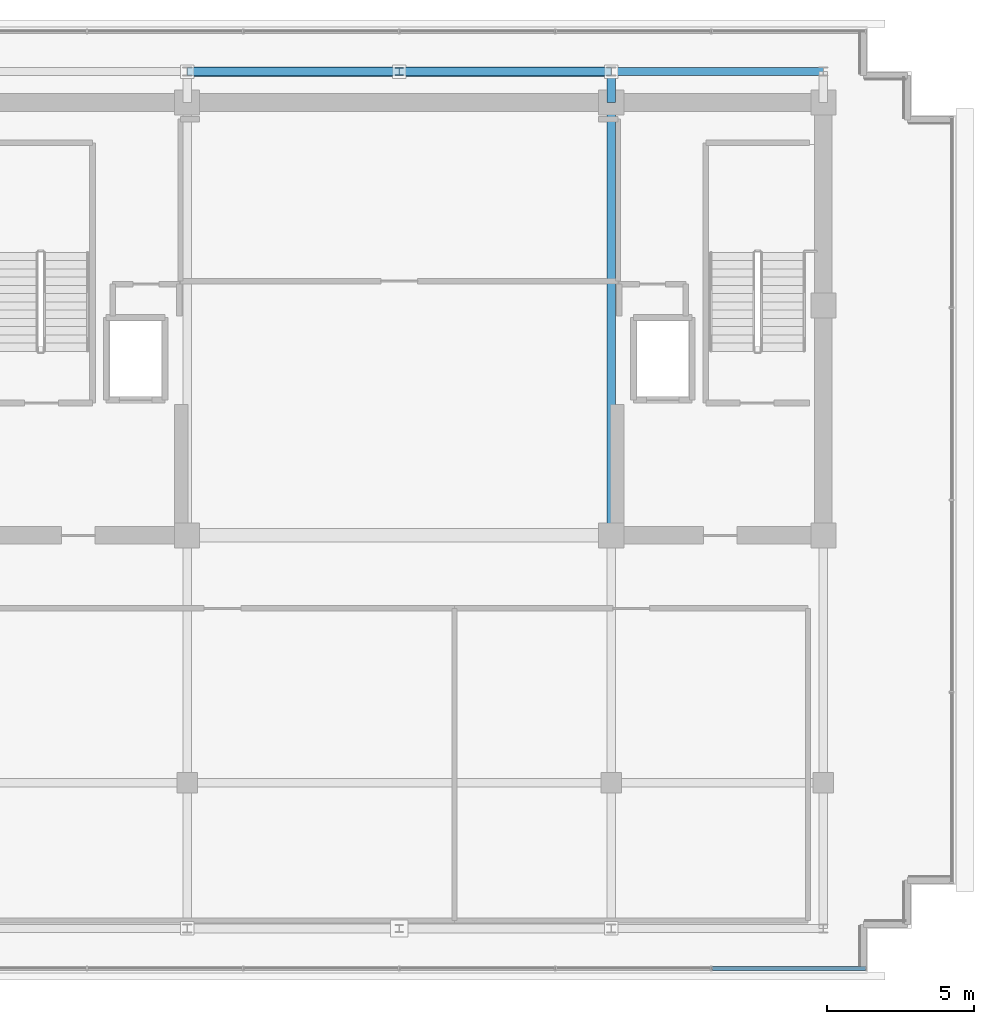
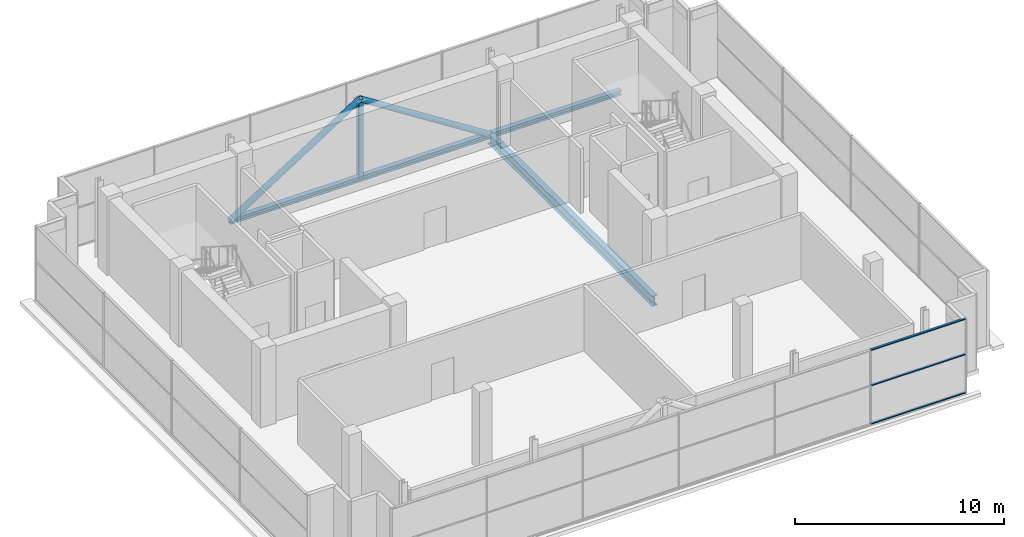
# One storey, part 14 of 26: 6 members, 4 beams, 1 element without a shape of its own.
"""IFC4 building model written with IfcOpenShell, lengths in metres."""

from ifc_helpers import new_model, si_unit, direction, frame, origin, origin_2d, place, context, subcontext, project, spatial, hollow_rectangle, hollow_circle, i_section, extrude, source, transform, mapped, material, layer, layer_set, material_profile, profile_set, type_object, element, aggregate, save


model = new_model("IFC4")

# Units and contexts
model_context = context("Model", 3, precision=1e-05, world=origin(), true_north=direction((0.0, 1.0)))
body_context = subcontext(model_context, "Body", "Model", "MODEL_VIEW")
ifc_project = project(units=[si_unit("LENGTHUNIT", "METRE"), si_unit("AREAUNIT", "SQUARE_METRE"), si_unit("VOLUMEUNIT", "CUBIC_METRE"), si_unit("PLANEANGLEUNIT", "RADIAN"), si_unit("MASSUNIT", "GRAM", prefix="KILO")], contexts=[model_context])

# Site, building, storey
site_placement = place(None, origin())
site = spatial("IfcSite", under=ifc_project, at=site_placement, CompositionType="ELEMENT")
building_placement = place(site_placement, origin())
building = spatial("IfcBuilding", under=site, at=building_placement, Name="Zarnakvel Exchange Tower", CompositionType="ELEMENT")
storey_placement = place(building_placement, frame((0.0, 0.0, 285.39990234375)))
storey = spatial("IfcBuildingStorey", under=building, at=storey_placement, Name="Crown L80", CompositionType="ELEMENT", Elevation=285.39990234375)

# Beams
ifc_material_1 = material(Name="Steel S355", Category="steel")
ifc_material_profile_1 = material_profile(ifc_material_1, i_section(OverallWidth=0.300048828125, OverallDepth=0.60009765625, WebThickness=0.015380859375, FlangeThickness=0.030029296875, FilletRadius=0.027099609375, at=origin_2d()))
ifc_profile_set_1 = profile_set([ifc_material_profile_1], Name="Steel S355")
beam_type_1 = type_object("IfcBeamType", Name="G-04", PredefinedType="BEAM", material=ifc_profile_set_1)
beam_1_placement = place(storey_placement, frame((7.199951171875, -1.199951171875, -0.52001953125), z_axis=(0.0, 1.0, 0.0), x_axis=(-1.0, 0.0, 0.0)))
element("IfcBeam", 1, at=beam_1_placement, inside=storey, type_object=beam_type_1, Name="Crown L80 Tower N-S Frame Beam", PredefinedType="BEAM", context=body_context, shape_type="SweptSolid", body=[
    extrude(i_section(OverallWidth=0.300048828125, OverallDepth=0.60009765625, WebThickness=0.015380859375, FlangeThickness=0.030029296875, FilletRadius=0.027099609375, at=origin_2d()), origin(), (0.0, 0.0, 1.0), 14.699951171875),
])
beam_2_placement = place(storey_placement, frame((7.199951171875, 13.5, -0.52001953125), z_axis=(0.0, 1.0, 0.0), x_axis=(-1.0, 0.0, 0.0)))
element("IfcBeam", 2, at=beam_2_placement, inside=storey, type_object=beam_type_1, Name="Crown L80 Tower N-S Frame Beam", PredefinedType="BEAM", context=body_context, shape_type="SweptSolid", body=[
    extrude(i_section(OverallWidth=0.300048828125, OverallDepth=0.60009765625, WebThickness=0.015380859375, FlangeThickness=0.030029296875, FilletRadius=0.027099609375, at=origin_2d()), origin(), (0.0, 0.0, 1.0), 1.050048828125),
])
ifc_material_profile_2 = material_profile(ifc_material_1, i_section(OverallWidth=0.280029296875, OverallDepth=0.280029296875, WebThickness=0.010498046875, FlangeThickness=0.01806640625, FilletRadius=0.02392578125, at=origin_2d()))
ifc_profile_set_2 = profile_set([ifc_material_profile_2], Name="Steel S355")
beam_type_2 = type_object("IfcBeamType", Name="SP-04", PredefinedType="SPANDREL", material=ifc_profile_set_2)
beam_3_placement = place(storey_placement, frame((-7.199951171875, 14.550048828125, -0.35986328125), z_axis=(1.0, 0.0, 0.0), x_axis=(0.0, 1.0, 0.0)))
element("IfcBeam", 3, at=beam_3_placement, inside=storey, type_object=beam_type_2, Name="Crown L80 Tower E-W Frame Beam", PredefinedType="SPANDREL", context=body_context, shape_type="SweptSolid", body=[
    extrude(i_section(OverallWidth=0.280029296875, OverallDepth=0.280029296875, WebThickness=0.010498046875, FlangeThickness=0.01806640625, FilletRadius=0.02392578125, at=origin_2d()), origin(), (0.0, 0.0, 1.0), 14.39990234375),
])
beam_4_placement = place(storey_placement, frame((7.199951171875, 14.550048828125, -0.35986328125), z_axis=(1.0, 0.0, 0.0), x_axis=(0.0, 1.0, 0.0)))
element("IfcBeam", 4, at=beam_4_placement, inside=storey, type_object=beam_type_2, Name="Crown L80 Tower E-W Frame Beam", PredefinedType="SPANDREL", context=body_context, shape_type="SweptSolid", body=[
    extrude(i_section(OverallWidth=0.280029296875, OverallDepth=0.280029296875, WebThickness=0.010498046875, FlangeThickness=0.01806640625, FilletRadius=0.02392578125, at=origin_2d()), origin(), (0.0, 0.0, 1.0), 7.199951171875),
])

# Members
ifc_material_profile_3 = material_profile(ifc_material_1, hollow_circle(Radius=0.161865234375, WallThickness=0.01611328125, at=origin_2d()))
ifc_profile_set_3 = profile_set([ifc_material_profile_3], Name="Steel S355")
member_type_1 = type_object("IfcMemberType", Name="CF-03", PredefinedType="BRACE", material=ifc_profile_set_3)
shared_shape_1 = source(origin(), body_context, "Body", "SweptSolid", [
    extrude(hollow_circle(Radius=0.161865234375, WallThickness=0.01611328125, at=origin_2d()), origin(), (0.0, 0.0, 1.0), 8.5439453125),
])
for number, where, z_axis, x_axis, name in (
    (5, (-7.199951171875, 14.550048828125, -0.35986328125), (0.842702381832, 0.0, 0.53837969469), (0.0, 1.0, 0.0), "Crown L80 Crown Chevron Brace L (CF-03)"),
    (6, (7.199951171875, 14.550048828125, -0.35986328125), (-0.842702381832, 0.0, 0.53837969469), (0.0, -1.0, 0.0), "Crown L80 Crown Chevron Brace R (CF-03)"),
):
    element("IfcMember", number, at=place(storey_placement, frame(where, z_axis=z_axis, x_axis=x_axis)), inside=storey, type_object=member_type_1, Name=name, PredefinedType="BRACE", context=body_context, shape_type="MappedRepresentation", body=[
        mapped(shared_shape_1, transform((0.0, 0.0, 0.0), x_axis=(1.0, 0.0, 0.0), y_axis=(0.0, 1.0, 0.0), z_axis=(0.0, 0.0, 1.0), scale=1.0)),
    ])
ifc_material_profile_4 = material_profile(ifc_material_1, i_section(OverallWidth=0.25634765625, OverallDepth=0.26025390625, WebThickness=0.01025390625, FlangeThickness=0.017333984375, FilletRadius=0.0126953125, at=origin_2d()))
ifc_profile_set_4 = profile_set([ifc_material_profile_4], Name="Steel S355")
member_type_2 = type_object("IfcMemberType", Name="CF-04", PredefinedType="STRUT", material=ifc_profile_set_4)
shared_shape_2 = source(origin(), body_context, "Body", "SweptSolid", [
    extrude(i_section(OverallWidth=0.25634765625, OverallDepth=0.26025390625, WebThickness=0.01025390625, FlangeThickness=0.017333984375, FilletRadius=0.0126953125, at=origin_2d()), origin(), (0.0, 0.0, 1.0), 4.599853515625),
])
member_1_placement = place(storey_placement, frame((0.0, 14.550048828125, -0.35986328125), z_axis=(0.0, 0.0, 1.0), x_axis=(1.0, 0.0, 0.0)))
element("IfcMember", 7, at=member_1_placement, inside=storey, type_object=member_type_2, Name="Crown L80 Crown Frame Post (CF-04)", PredefinedType="STRUT", context=body_context, shape_type="MappedRepresentation", body=[
    mapped(shared_shape_2, transform((0.0, 0.0, 0.0), x_axis=(1.0, 0.0, 0.0), y_axis=(0.0, 1.0, 0.0), z_axis=(0.0, 0.0, 1.0), scale=1.0)),
])

# Curtain wall, members
ifc_material_2 = material(Name="Architectural Bronze Anodised Aluminium", Category="aluminium")
ifc_layer = layer(ifc_material_2, 0.14990234375)
ifc_layer_set = layer_set([ifc_layer], Name="Architectural Bronze Anodised Aluminium")
curtain_wall_type = type_object("IfcCurtainWallType", Name="CW-07", PredefinedType="NOTDEFINED", material=ifc_layer_set)
curtain_wall_placement = place(storey_placement, origin())
curtain_wall = element("IfcCurtainWall", 8, at=curtain_wall_placement, inside=storey, type_object=curtain_wall_type, Name="Crown L80 Curtain Wall CW-Crown L80-S (CW-07)", PredefinedType="NOTDEFINED")
ifc_material_profile_5 = material_profile(ifc_material_2, hollow_rectangle(XDim=0.1201171875, YDim=0.06005859375, WallThickness=0.00390625, at=origin_2d()))
ifc_profile_set_5 = profile_set([ifc_material_profile_5], Name="Architectural Bronze Anodised Aluminium")
member_type_3 = type_object("IfcMemberType", Name="CWT-07", PredefinedType="USERDEFINED", material=ifc_profile_set_5)
shared_shape_3 = source(origin(), body_context, "Body", "SweptSolid", [
    extrude(hollow_rectangle(XDim=0.1201171875, YDim=0.06005859375, WallThickness=0.00390625, at=origin_2d()), origin(), (0.0, 0.0, 1.0), 5.210205078125),
])
member_2_placement = place(storey_placement, frame((10.6298828125, -15.909912109375, 0.030029296875), z_axis=(1.0, 0.0, 0.0), x_axis=(0.0, 1.0, 0.0)))
member_2 = element("IfcMember", 9, at=member_2_placement, type_object=member_type_3, Name="CW-07 transom 6.1", ObjectType="TRANSOM", PredefinedType="USERDEFINED", context=body_context, shape_type="MappedRepresentation", body=[
    mapped(shared_shape_3, transform((0.0, 0.0, 0.0), x_axis=(1.0, 0.0, 0.0), y_axis=(0.0, 1.0, 0.0), z_axis=(0.0, 0.0, 1.0), scale=1.0)),
])
member_3_placement = place(storey_placement, frame((10.6298828125, -15.909912109375, 2.267333984375), z_axis=(1.0, 0.0, 0.0), x_axis=(0.0, 1.0, 0.0)))
member_3 = element("IfcMember", 10, at=member_3_placement, type_object=member_type_3, Name="CW-07 transom 6.2", ObjectType="TRANSOM", PredefinedType="USERDEFINED", context=body_context, shape_type="MappedRepresentation", body=[
    mapped(shared_shape_3, transform((0.0, 0.0, 0.0), x_axis=(1.0, 0.0, 0.0), y_axis=(0.0, 1.0, 0.0), z_axis=(0.0, 0.0, 1.0), scale=1.0)),
])
member_4_placement = place(storey_placement, frame((10.6298828125, -15.909912109375, 4.330078125), z_axis=(1.0, 0.0, 0.0), x_axis=(0.0, 1.0, 0.0)))
member_4 = element("IfcMember", 11, at=member_4_placement, type_object=member_type_3, Name="CW-07 transom 6.3", ObjectType="TRANSOM", PredefinedType="USERDEFINED", context=body_context, shape_type="MappedRepresentation", body=[
    mapped(shared_shape_3, transform((0.0, 0.0, 0.0), x_axis=(1.0, 0.0, 0.0), y_axis=(0.0, 1.0, 0.0), z_axis=(0.0, 0.0, 1.0), scale=1.0)),
])
aggregate(curtain_wall, [member_2, member_3, member_4])

save(model, "model.ifc")
